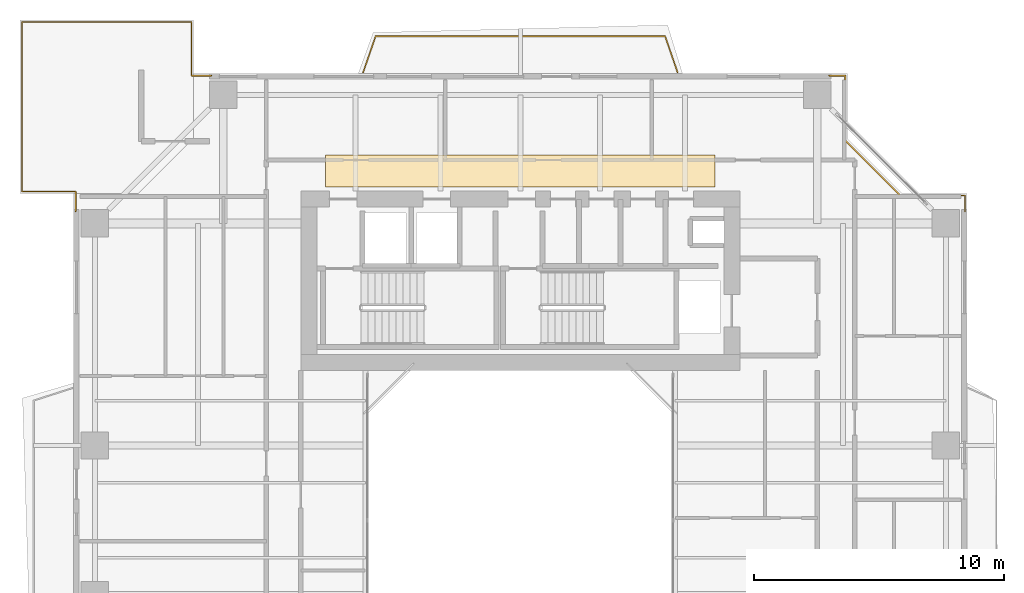
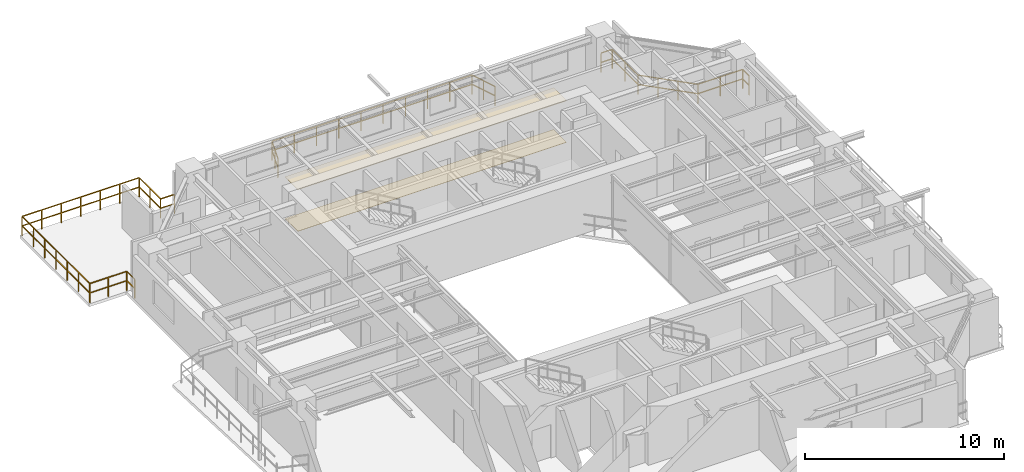
# One storey, part 17 of 17: 3 railings, 2 coverings.
"""IFC4 building model written with IfcOpenShell, lengths in metres."""

from ifc_helpers import new_model, si_unit, direction, frame, origin, origin_2d, place, context, subcontext, project, spatial, polyline, rectangle, outline, extrude, material, layer, layer_set, type_object, element, save


model = new_model("IFC4")

# Units and contexts
model_context = context("Model", 3, precision=1e-05, world=origin(), true_north=direction((0.0, 1.0)))
body_context = subcontext(model_context, "Body", "Model", "MODEL_VIEW")
ifc_project = project(units=[si_unit("LENGTHUNIT", "METRE"), si_unit("AREAUNIT", "SQUARE_METRE"), si_unit("VOLUMEUNIT", "CUBIC_METRE"), si_unit("PLANEANGLEUNIT", "RADIAN"), si_unit("MASSUNIT", "GRAM", prefix="KILO"), si_unit("THERMODYNAMICTEMPERATUREUNIT", "KELVIN"), si_unit("POWERUNIT", "WATT")], contexts=[model_context])

# Site, building, storey
site_placement = place(None, origin())
site = spatial("IfcSite", under=ifc_project, at=site_placement, CompositionType="ELEMENT")
building_placement = place(site_placement, origin())
building = spatial("IfcBuilding", under=site, at=building_placement, Name="Qiaomeng Ring Towers", CompositionType="ELEMENT")
storey_placement = place(building_placement, frame((0.0, 0.0, 132.75)))
storey = spatial("IfcBuildingStorey", under=building, at=storey_placement, Name="L38", CompositionType="ELEMENT", Elevation=132.75)

# Coverings
ifc_material_1 = material(Name="Mineral fibre acoustic ceiling tile", Category="gypsum")
ifc_layer_1 = layer(ifc_material_1, 0.02490234375, Name="Mineral fibre acoustic ceiling tile")
ifc_layer_set_1 = layer_set([ifc_layer_1], Name="Mineral fibre acoustic ceiling tile")
covering_type_1 = type_object("IfcCoveringType", Name="ARC-COV-CEIL1", PredefinedType="CEILING", material=ifc_layer_set_1)
covering_1_placement = place(storey_placement, frame((0.0, 0.0, 2.550048828125)))
element("IfcCovering", 1, at=covering_1_placement, inside=storey, type_object=covering_type_1, Name="L38 Corridor Acoustic Ceiling", PredefinedType="CEILING", context=body_context, shape_type="SweptSolid", body=[
    extrude(outline(polyline([(11.199951171875, 36.35009765625), (11.199951171875, 37.64990234375), (26.800048828125, 37.64990234375), (26.800048828125, 36.35009765625), (11.199951171875, 36.35009765625)])), origin(), (0.0, 0.0, 1.0), 0.02490234375),
])
ifc_material_2 = material(Name="Vitrified porcelain floor tile", Category="ceramic")
ifc_layer_2 = layer(ifc_material_2, 0.02001953125, Name="Vitrified porcelain floor tile")
ifc_layer_set_2 = layer_set([ifc_layer_2], Name="Vitrified porcelain floor tile")
covering_type_2 = type_object("IfcCoveringType", Name="ARC-COV-FLR1", PredefinedType="FLOORING", material=ifc_layer_set_2)
covering_2_placement = place(storey_placement, origin())
element("IfcCovering", 2, at=covering_2_placement, inside=storey, type_object=covering_type_2, Name="L38 Corridor Stone Flooring", PredefinedType="FLOORING", context=body_context, shape_type="SweptSolid", body=[
    extrude(outline(polyline([(11.199951171875, 36.35009765625), (11.199951171875, 37.64990234375), (26.800048828125, 37.64990234375), (26.800048828125, 36.35009765625), (11.199951171875, 36.35009765625)])), origin(), (0.0, 0.0, 1.0), 0.02001953125),
])

# Railings
ifc_material_3 = material(Name="Low-E pale-green laminated safety glass", Category="glass")
railing_type = type_object("IfcRailingType", Name="ARC-RL-BAL1", PredefinedType="BALUSTRADE", material=ifc_material_3)
railing_1_placement = place(storey_placement, frame((36.820068359375, 35.3701171875, 0.0)))
element("IfcRailing", 3, at=railing_1_placement, inside=storey, type_object=railing_type, Name="L38 Balustrade ARC-BAL-NOTCH1-L38-NE", PredefinedType="BALUSTRADE", context=body_context, shape_type="SweptSolid", body=[
    extrude(rectangle(XDim=0.048095703125, YDim=0.048095703125, at=origin_2d()), frame((0.0, 0.0, 1.17578125), z_axis=(0.0, 1.0, 0.0), x_axis=(-1.0, 0.0, 0.0)), (0.0, 0.0, 1.0), 0.64990234375),
    extrude(rectangle(XDim=0.048095703125, YDim=0.048095703125, at=origin_2d()), frame((0.0, 0.0, 0.60009765625), z_axis=(0.0, 1.0, 0.0), x_axis=(-1.0, 0.0, 0.0)), (0.0, 0.0, 1.0), 0.64990234375),
    extrude(rectangle(XDim=0.048095703125, YDim=0.048095703125, at=origin_2d()), frame((0.0, 0.64990234375, 1.17578125), z_axis=(-1.0, 0.0, 0.0), x_axis=(0.0, -1.0, 0.0)), (0.0, 0.0, 1.0), 2.60009765625),
    extrude(rectangle(XDim=0.048095703125, YDim=0.048095703125, at=origin_2d()), frame((0.0, 0.64990234375, 0.60009765625), z_axis=(-1.0, 0.0, 0.0), x_axis=(0.0, -1.0, 0.0)), (0.0, 0.0, 1.0), 2.60009765625),
    extrude(rectangle(XDim=0.048095703125, YDim=0.048095703125, at=origin_2d()), frame((-2.60009765625, 0.64990234375, 1.17578125), z_axis=(-0.707106781187, 0.707106781187, 0.0), x_axis=(-0.707106781187, -0.707106781187, 0.0)), (0.0, 0.0, 1.0), 3.111083984375),
    extrude(rectangle(XDim=0.048095703125, YDim=0.048095703125, at=origin_2d()), frame((-2.60009765625, 0.64990234375, 0.60009765625), z_axis=(-0.707106781187, 0.707106781187, 0.0), x_axis=(-0.707106781187, -0.707106781187, 0.0)), (0.0, 0.0, 1.0), 3.111083984375),
    extrude(rectangle(XDim=0.048095703125, YDim=0.048095703125, at=origin_2d()), frame((-4.800048828125, 2.849853515625, 1.17578125), z_axis=(0.0, 1.0, 0.0), x_axis=(-1.0, 0.0, 0.0)), (0.0, 0.0, 1.0), 2.60009765625),
    extrude(rectangle(XDim=0.048095703125, YDim=0.048095703125, at=origin_2d()), frame((-4.800048828125, 2.849853515625, 0.60009765625), z_axis=(0.0, 1.0, 0.0), x_axis=(-1.0, 0.0, 0.0)), (0.0, 0.0, 1.0), 2.60009765625),
    extrude(rectangle(XDim=0.048095703125, YDim=0.048095703125, at=origin_2d()), frame((-4.800048828125, 5.449951171875, 1.17578125), z_axis=(-1.0, 0.0, 0.0), x_axis=(0.0, -1.0, 0.0)), (0.0, 0.0, 1.0), 0.64990234375),
    extrude(rectangle(XDim=0.048095703125, YDim=0.048095703125, at=origin_2d()), frame((-4.800048828125, 5.449951171875, 0.60009765625), z_axis=(-1.0, 0.0, 0.0), x_axis=(0.0, -1.0, 0.0)), (0.0, 0.0, 1.0), 0.64990234375),
    extrude(rectangle(XDim=0.0419921875, YDim=0.0419921875, at=origin_2d()), origin(), (0.0, 0.0, 1.0), 1.15185546875),
    extrude(rectangle(XDim=0.0419921875, YDim=0.0419921875, at=origin_2d()), frame((0.0, 0.64990234375, 0.0)), (0.0, 0.0, 1.0), 1.15185546875),
    extrude(rectangle(XDim=0.0419921875, YDim=0.0419921875, at=origin_2d()), frame((-1.300048828125, 0.64990234375, 0.0)), (0.0, 0.0, 1.0), 1.15185546875),
    extrude(rectangle(XDim=0.0419921875, YDim=0.0419921875, at=origin_2d()), frame((-2.60009765625, 0.64990234375, 0.0)), (0.0, 0.0, 1.0), 1.15185546875),
    extrude(rectangle(XDim=0.0419921875, YDim=0.0419921875, at=origin_2d()), frame((-3.33349609375, 1.38330078125, 0.0)), (0.0, 0.0, 1.0), 1.15185546875),
    extrude(rectangle(XDim=0.0419921875, YDim=0.0419921875, at=origin_2d()), frame((-4.066650390625, 2.116455078125, 0.0)), (0.0, 0.0, 1.0), 1.15185546875),
    extrude(rectangle(XDim=0.0419921875, YDim=0.0419921875, at=origin_2d()), frame((-4.800048828125, 2.849853515625, 0.0)), (0.0, 0.0, 1.0), 1.15185546875),
    extrude(rectangle(XDim=0.0419921875, YDim=0.0419921875, at=origin_2d()), frame((-4.800048828125, 4.14990234375, 0.0)), (0.0, 0.0, 1.0), 1.15185546875),
    extrude(rectangle(XDim=0.0419921875, YDim=0.0419921875, at=origin_2d()), frame((-4.800048828125, 5.449951171875, 0.0)), (0.0, 0.0, 1.0), 1.15185546875),
    extrude(rectangle(XDim=0.0419921875, YDim=0.0419921875, at=origin_2d()), frame((-5.449951171875, 5.449951171875, 0.0)), (0.0, 0.0, 1.0), 1.15185546875),
])
railing_2_placement = place(storey_placement, frame((6.6201171875, 40.820068359375, 0.0)))
element("IfcRailing", 4, at=railing_2_placement, inside=storey, type_object=railing_type, Name="L38 Balustrade ARC-BAL-L38-SPIRAL-NW", PredefinedType="BALUSTRADE", context=body_context, shape_type="SweptSolid", body=[
    extrude(rectangle(XDim=0.048095703125, YDim=0.048095703125, at=origin_2d()), frame((0.0, 0.0, 1.17578125), z_axis=(-1.0, 0.0, 0.0), x_axis=(0.0, -1.0, 0.0)), (0.0, 0.0, 1.0), 0.800048828125),
    extrude(rectangle(XDim=0.048095703125, YDim=0.048095703125, at=origin_2d()), frame((0.0, 0.0, 0.60009765625), z_axis=(-1.0, 0.0, 0.0), x_axis=(0.0, -1.0, 0.0)), (0.0, 0.0, 1.0), 0.800048828125),
    extrude(rectangle(XDim=0.048095703125, YDim=0.048095703125, at=origin_2d()), frame((-0.800048828125, 0.0, 1.17578125), z_axis=(0.0, 1.0, 0.0), x_axis=(-1.0, 0.0, 0.0)), (0.0, 0.0, 1.0), 2.14990234375),
    extrude(rectangle(XDim=0.048095703125, YDim=0.048095703125, at=origin_2d()), frame((-0.800048828125, 0.0, 0.60009765625), z_axis=(0.0, 1.0, 0.0), x_axis=(-1.0, 0.0, 0.0)), (0.0, 0.0, 1.0), 2.14990234375),
    extrude(rectangle(XDim=0.048095703125, YDim=0.048095703125, at=origin_2d()), frame((-0.800048828125, 2.14990234375, 1.17578125), z_axis=(-1.0, 0.0, 0.0), x_axis=(0.0, -1.0, 0.0)), (0.0, 0.0, 1.0), 6.7900390625),
    extrude(rectangle(XDim=0.048095703125, YDim=0.048095703125, at=origin_2d()), frame((-0.800048828125, 2.14990234375, 0.60009765625), z_axis=(-1.0, 0.0, 0.0), x_axis=(0.0, -1.0, 0.0)), (0.0, 0.0, 1.0), 6.7900390625),
    extrude(rectangle(XDim=0.048095703125, YDim=0.048095703125, at=origin_2d()), frame((-7.590087890625, 2.14990234375, 1.17578125), z_axis=(0.0, -1.0, 0.0), x_axis=(1.0, 0.0, 0.0)), (0.0, 0.0, 1.0), 6.7900390625),
    extrude(rectangle(XDim=0.048095703125, YDim=0.048095703125, at=origin_2d()), frame((-7.590087890625, 2.14990234375, 0.60009765625), z_axis=(0.0, -1.0, 0.0), x_axis=(1.0, 0.0, 0.0)), (0.0, 0.0, 1.0), 6.7900390625),
    extrude(rectangle(XDim=0.048095703125, YDim=0.048095703125, at=origin_2d()), frame((-7.590087890625, -4.64013671875, 1.17578125), z_axis=(1.0, 0.0, 0.0), x_axis=(0.0, 1.0, 0.0)), (0.0, 0.0, 1.0), 2.14990234375),
    extrude(rectangle(XDim=0.048095703125, YDim=0.048095703125, at=origin_2d()), frame((-7.590087890625, -4.64013671875, 0.60009765625), z_axis=(1.0, 0.0, 0.0), x_axis=(0.0, 1.0, 0.0)), (0.0, 0.0, 1.0), 2.14990234375),
    extrude(rectangle(XDim=0.048095703125, YDim=0.048095703125, at=origin_2d()), frame((-5.440185546875, -4.64013671875, 1.17578125), z_axis=(0.0, -1.0, 0.0), x_axis=(1.0, 0.0, 0.0)), (0.0, 0.0, 1.0), 0.800048828125),
    extrude(rectangle(XDim=0.048095703125, YDim=0.048095703125, at=origin_2d()), frame((-5.440185546875, -4.64013671875, 0.60009765625), z_axis=(0.0, -1.0, 0.0), x_axis=(1.0, 0.0, 0.0)), (0.0, 0.0, 1.0), 0.800048828125),
    extrude(rectangle(XDim=0.0419921875, YDim=0.0419921875, at=origin_2d()), origin(), (0.0, 0.0, 1.0), 1.15185546875),
    extrude(rectangle(XDim=0.0419921875, YDim=0.0419921875, at=origin_2d()), frame((-0.800048828125, 0.0, 0.0)), (0.0, 0.0, 1.0), 1.15185546875),
    extrude(rectangle(XDim=0.0419921875, YDim=0.0419921875, at=origin_2d()), frame((-0.800048828125, 1.074951171875, 0.0)), (0.0, 0.0, 1.0), 1.15185546875),
    extrude(rectangle(XDim=0.0419921875, YDim=0.0419921875, at=origin_2d()), frame((-0.800048828125, 2.14990234375, 0.0)), (0.0, 0.0, 1.0), 1.15185546875),
    extrude(rectangle(XDim=0.0419921875, YDim=0.0419921875, at=origin_2d()), frame((-1.931640625, 2.14990234375, 0.0)), (0.0, 0.0, 1.0), 1.15185546875),
    extrude(rectangle(XDim=0.0419921875, YDim=0.0419921875, at=origin_2d()), frame((-3.0634765625, 2.14990234375, 0.0)), (0.0, 0.0, 1.0), 1.15185546875),
    extrude(rectangle(XDim=0.0419921875, YDim=0.0419921875, at=origin_2d()), frame((-4.195068359375, 2.14990234375, 0.0)), (0.0, 0.0, 1.0), 1.15185546875),
    extrude(rectangle(XDim=0.0419921875, YDim=0.0419921875, at=origin_2d()), frame((-5.32666015625, 2.14990234375, 0.0)), (0.0, 0.0, 1.0), 1.15185546875),
    extrude(rectangle(XDim=0.0419921875, YDim=0.0419921875, at=origin_2d()), frame((-6.45849609375, 2.14990234375, 0.0)), (0.0, 0.0, 1.0), 1.15185546875),
    extrude(rectangle(XDim=0.0419921875, YDim=0.0419921875, at=origin_2d()), frame((-7.590087890625, 2.14990234375, 0.0)), (0.0, 0.0, 1.0), 1.15185546875),
    extrude(rectangle(XDim=0.0419921875, YDim=0.0419921875, at=origin_2d()), frame((-7.590087890625, 1.018310546875, 0.0)), (0.0, 0.0, 1.0), 1.15185546875),
    extrude(rectangle(XDim=0.0419921875, YDim=0.0419921875, at=origin_2d()), frame((-7.590087890625, -0.113525390625, 0.0)), (0.0, 0.0, 1.0), 1.15185546875),
    extrude(rectangle(XDim=0.0419921875, YDim=0.0419921875, at=origin_2d()), frame((-7.590087890625, -1.2451171875, 0.0)), (0.0, 0.0, 1.0), 1.15185546875),
    extrude(rectangle(XDim=0.0419921875, YDim=0.0419921875, at=origin_2d()), frame((-7.590087890625, -2.376708984375, 0.0)), (0.0, 0.0, 1.0), 1.15185546875),
    extrude(rectangle(XDim=0.0419921875, YDim=0.0419921875, at=origin_2d()), frame((-7.590087890625, -3.508544921875, 0.0)), (0.0, 0.0, 1.0), 1.15185546875),
    extrude(rectangle(XDim=0.0419921875, YDim=0.0419921875, at=origin_2d()), frame((-7.590087890625, -4.64013671875, 0.0)), (0.0, 0.0, 1.0), 1.15185546875),
    extrude(rectangle(XDim=0.0419921875, YDim=0.0419921875, at=origin_2d()), frame((-6.51513671875, -4.64013671875, 0.0)), (0.0, 0.0, 1.0), 1.15185546875),
    extrude(rectangle(XDim=0.0419921875, YDim=0.0419921875, at=origin_2d()), frame((-5.440185546875, -4.64013671875, 0.0)), (0.0, 0.0, 1.0), 1.15185546875),
    extrude(rectangle(XDim=0.0419921875, YDim=0.0419921875, at=origin_2d()), frame((-5.440185546875, -5.440185546875, 0.0)), (0.0, 0.0, 1.0), 1.15185546875),
])
railing_3_placement = place(storey_placement, frame((12.699951171875, 40.949951171875, 0.0)))
element("IfcRailing", 5, at=railing_3_placement, inside=storey, type_object=railing_type, Name="L38 Balustrade ARC-BAL-L38-T1-N", PredefinedType="BALUSTRADE", context=body_context, shape_type="SweptSolid", body=[
    extrude(rectangle(XDim=0.048095703125, YDim=0.048095703125, at=origin_2d()), frame((0.0, 0.0, 1.17578125), z_axis=(0.326000494605, 0.945369598368, 0.0), x_axis=(-0.945369598368, 0.326000494605, 0.0)), (0.0, 0.0, 1.0), 1.53369140625),
    extrude(rectangle(XDim=0.048095703125, YDim=0.048095703125, at=origin_2d()), frame((0.0, 0.0, 0.60009765625), z_axis=(0.326000494605, 0.945369598368, 0.0), x_axis=(-0.945369598368, 0.326000494605, 0.0)), (0.0, 0.0, 1.0), 1.53369140625),
    extrude(rectangle(XDim=0.048095703125, YDim=0.048095703125, at=origin_2d()), frame((0.5, 1.449951171875, 1.17578125), z_axis=(1.0, 0.0, 0.0), x_axis=(0.0, 1.0, 0.0)), (0.0, 0.0, 1.0), 11.60009765625),
    extrude(rectangle(XDim=0.048095703125, YDim=0.048095703125, at=origin_2d()), frame((0.5, 1.449951171875, 0.60009765625), z_axis=(1.0, 0.0, 0.0), x_axis=(0.0, 1.0, 0.0)), (0.0, 0.0, 1.0), 11.60009765625),
    extrude(rectangle(XDim=0.048095703125, YDim=0.048095703125, at=origin_2d()), frame((12.10009765625, 1.449951171875, 1.17578125), z_axis=(0.326000494605, -0.945369598368, 0.0), x_axis=(0.945369598368, 0.326000494605, 0.0)), (0.0, 0.0, 1.0), 1.53369140625),
    extrude(rectangle(XDim=0.048095703125, YDim=0.048095703125, at=origin_2d()), frame((12.10009765625, 1.449951171875, 0.60009765625), z_axis=(0.326000494605, -0.945369598368, 0.0), x_axis=(0.945369598368, 0.326000494605, 0.0)), (0.0, 0.0, 1.0), 1.53369140625),
    extrude(rectangle(XDim=0.0419921875, YDim=0.0419921875, at=origin_2d()), origin(), (0.0, 0.0, 1.0), 1.15185546875),
    extrude(rectangle(XDim=0.0419921875, YDim=0.0419921875, at=origin_2d()), frame((0.25, 0.72509765625, 0.0)), (0.0, 0.0, 1.0), 1.15185546875),
    extrude(rectangle(XDim=0.0419921875, YDim=0.0419921875, at=origin_2d()), frame((0.5, 1.449951171875, 0.0)), (0.0, 0.0, 1.0), 1.15185546875),
    extrude(rectangle(XDim=0.0419921875, YDim=0.0419921875, at=origin_2d()), frame((1.788818359375, 1.449951171875, 0.0)), (0.0, 0.0, 1.0), 1.15185546875),
    extrude(rectangle(XDim=0.0419921875, YDim=0.0419921875, at=origin_2d()), frame((3.077880859375, 1.449951171875, 0.0)), (0.0, 0.0, 1.0), 1.15185546875),
    extrude(rectangle(XDim=0.0419921875, YDim=0.0419921875, at=origin_2d()), frame((4.36669921875, 1.449951171875, 0.0)), (0.0, 0.0, 1.0), 1.15185546875),
    extrude(rectangle(XDim=0.0419921875, YDim=0.0419921875, at=origin_2d()), frame((5.655517578125, 1.449951171875, 0.0)), (0.0, 0.0, 1.0), 1.15185546875),
    extrude(rectangle(XDim=0.0419921875, YDim=0.0419921875, at=origin_2d()), frame((6.944580078125, 1.449951171875, 0.0)), (0.0, 0.0, 1.0), 1.15185546875),
    extrude(rectangle(XDim=0.0419921875, YDim=0.0419921875, at=origin_2d()), frame((8.2333984375, 1.449951171875, 0.0)), (0.0, 0.0, 1.0), 1.15185546875),
    extrude(rectangle(XDim=0.0419921875, YDim=0.0419921875, at=origin_2d()), frame((9.522216796875, 1.449951171875, 0.0)), (0.0, 0.0, 1.0), 1.15185546875),
    extrude(rectangle(XDim=0.0419921875, YDim=0.0419921875, at=origin_2d()), frame((10.811279296875, 1.449951171875, 0.0)), (0.0, 0.0, 1.0), 1.15185546875),
    extrude(rectangle(XDim=0.0419921875, YDim=0.0419921875, at=origin_2d()), frame((12.10009765625, 1.449951171875, 0.0)), (0.0, 0.0, 1.0), 1.15185546875),
    extrude(rectangle(XDim=0.0419921875, YDim=0.0419921875, at=origin_2d()), frame((12.35009765625, 0.72509765625, 0.0)), (0.0, 0.0, 1.0), 1.15185546875),
    extrude(rectangle(XDim=0.0419921875, YDim=0.0419921875, at=origin_2d()), frame((12.60009765625, 0.0, 0.0)), (0.0, 0.0, 1.0), 1.15185546875),
])

save(model, "model.ifc")
